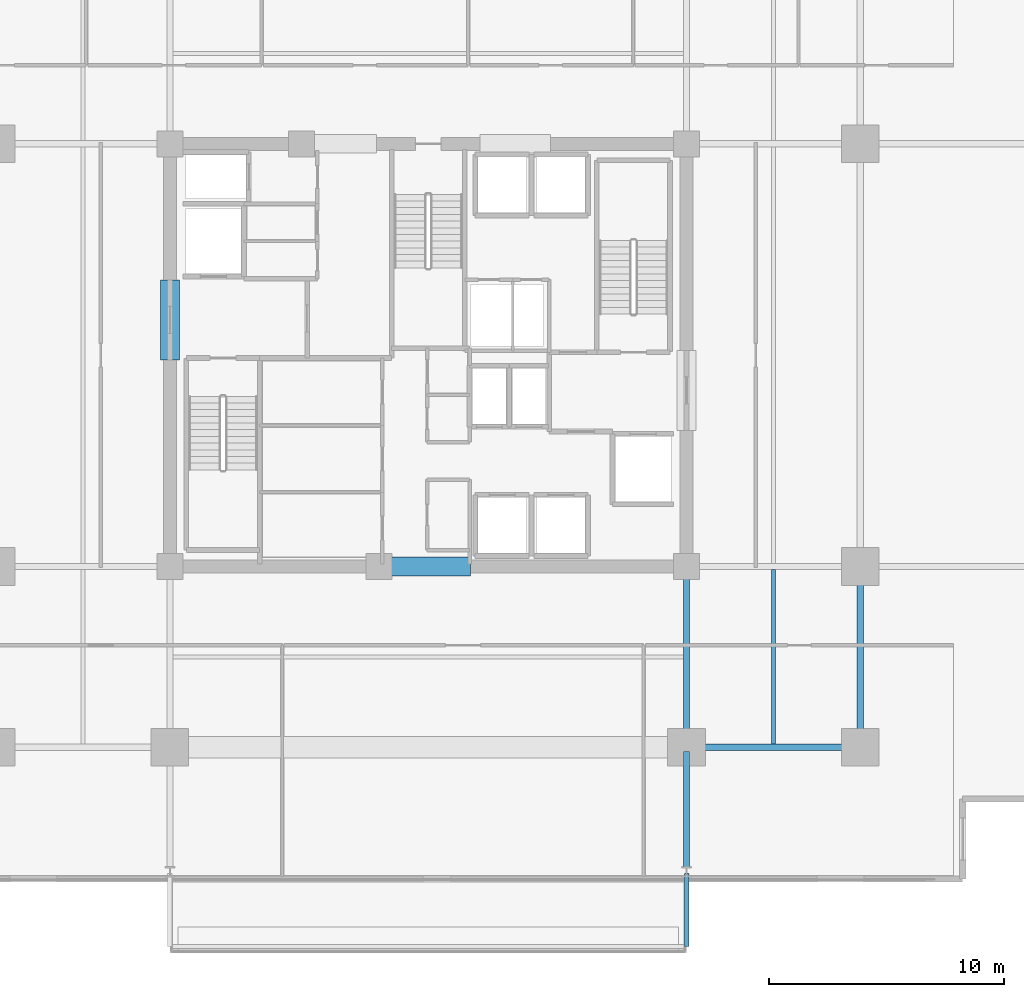
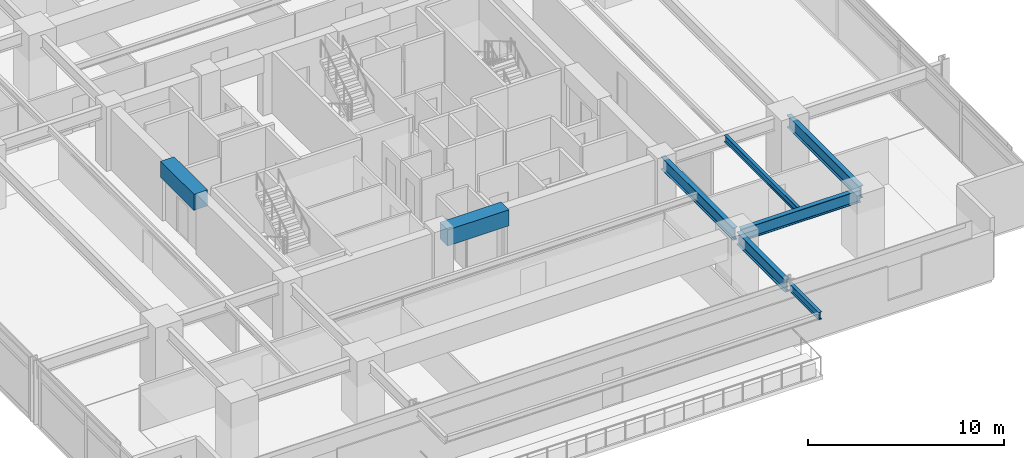
# One storey, part 7 of 23: 8 beams.
"""IFC4 building model written with IfcOpenShell, lengths in metres."""

from ifc_helpers import new_model, si_unit, direction, frame, origin, origin_2d, place, context, subcontext, project, spatial, rectangle, i_section, extrude, material, material_profile, profile_set, type_object, element, save


model = new_model("IFC4")

# Units and contexts
model_context = context("Model", 3, precision=1e-05, world=origin(), true_north=direction((0.0, 1.0)))
body_context = subcontext(model_context, "Body", "Model", "MODEL_VIEW")
ifc_project = project(units=[si_unit("LENGTHUNIT", "METRE"), si_unit("AREAUNIT", "SQUARE_METRE"), si_unit("VOLUMEUNIT", "CUBIC_METRE"), si_unit("PLANEANGLEUNIT", "RADIAN"), si_unit("MASSUNIT", "GRAM", prefix="KILO")], contexts=[model_context])

# Site, building, storey
site_placement = place(None, origin())
site = spatial("IfcSite", under=ifc_project, at=site_placement, CompositionType="ELEMENT")
building_placement = place(site_placement, origin())
building = spatial("IfcBuilding", under=site, at=building_placement, Name="Kovane Verandah Tower", CompositionType="ELEMENT")
storey_placement = place(building_placement, frame((0.0, 0.0, 148.39990234375)))
storey = spatial("IfcBuildingStorey", under=building, at=storey_placement, Name="L34", CompositionType="ELEMENT", Elevation=148.39990234375)

# Beams
ifc_material_1 = material(Name="Concrete C60/75", Category="concrete")
ifc_material_profile_1 = material_profile(ifc_material_1, rectangle(XDim=0.800048828125, YDim=1.0, at=origin_2d()), Name="RCB800x1000")
ifc_profile_set_1 = profile_set([ifc_material_profile_1], Name="Concrete C60/75")
beam_type_1 = type_object("IfcBeamType", Name="BM-LINTEL-800x1000", PredefinedType="LINTEL", material=ifc_profile_set_1)
beam_1_placement = place(storey_placement, frame((38.199951171875, 18.5, 3.275146484375), z_axis=(1.0, 0.0, 0.0), x_axis=(0.0, 1.0, 0.0)))
element("IfcBeam", 1, at=beam_1_placement, inside=storey, type_object=beam_type_1, Name="L34 Core Coupling Lintel CL-S", PredefinedType="LINTEL", context=body_context, shape_type="SweptSolid", body=[
    extrude(rectangle(XDim=0.800048828125, YDim=1.0, at=origin_2d()), origin(), (0.0, 0.0, 1.0), 3.60009765625),
])
beam_2_placement = place(storey_placement, frame((29.0, 27.300048828125, 3.275146484375), z_axis=(0.0, 1.0, 0.0), x_axis=(-1.0, 0.0, 0.0)))
element("IfcBeam", 2, at=beam_2_placement, inside=storey, type_object=beam_type_1, Name="L34 Core Coupling Lintel CL-W", PredefinedType="LINTEL", context=body_context, shape_type="SweptSolid", body=[
    extrude(rectangle(XDim=0.800048828125, YDim=1.0, at=origin_2d()), origin(), (0.0, 0.0, 1.0), 3.39990234375),
])
ifc_material_2 = material(Name="Steel S355", Category="steel")
ifc_material_profile_2 = material_profile(ifc_material_2, i_section(OverallWidth=0.26806640625, OverallDepth=0.769775390625, WebThickness=0.015625, FlangeThickness=0.025390625, FilletRadius=0.0166015625, at=origin_2d()), Name="UB762x267x197")
ifc_profile_set_2 = profile_set([ifc_material_profile_2], Name="Steel S355")
beam_type_2 = type_object("IfcBeamType", Name="BM-UB762x197", PredefinedType="BEAM", material=ifc_profile_set_2)
beam_3_placement = place(storey_placement, frame((51.179931640625, 10.800048828125, 3.39013671875), z_axis=(1.0, 0.0, 0.0), x_axis=(0.0, 1.0, 0.0)))
element("IfcBeam", 3, at=beam_3_placement, inside=storey, type_object=beam_type_2, Name="L34 Primary Tower Girder G-RS3", PredefinedType="BEAM", context=body_context, shape_type="SweptSolid", body=[
    extrude(i_section(OverallWidth=0.26806640625, OverallDepth=0.769775390625, WebThickness=0.015625, FlangeThickness=0.025390625, FilletRadius=0.0166015625, at=origin_2d()), origin(), (0.0, 0.0, 1.0), 7.0400390625),
])
for number, where, z_axis, x_axis, name in (
    (4, (58.39990234375, 10.97998046875, 3.39013671875), (0.0, 1.0, 0.0), (-1.0, 0.0, 0.0), "L34 Primary Tower Girder G-RE1"),
    (5, (51.0, 18.320068359375, 3.39013671875), (0.0, -1.0, 0.0), (1.0, 0.0, 0.0), "L34 Primary Tower Girder G-S2"),
):
    element("IfcBeam", number, at=place(storey_placement, frame(where, z_axis=z_axis, x_axis=x_axis)), inside=storey, type_object=beam_type_2, Name=name, PredefinedType="BEAM", context=body_context, shape_type="SweptSolid", body=[
        extrude(i_section(OverallWidth=0.26806640625, OverallDepth=0.769775390625, WebThickness=0.015625, FlangeThickness=0.025390625, FilletRadius=0.0166015625, at=origin_2d()), origin(), (0.0, 0.0, 1.0), 7.340087890625),
    ])
beam_4_placement = place(storey_placement, frame((51.0, 10.6201171875, 3.375244140625), z_axis=(0.0, -1.0, 0.0), x_axis=(1.0, 0.0, 0.0)))
element("IfcBeam", 6, at=beam_4_placement, inside=storey, type_object=beam_type_2, Name="L34 Primary Tower Girder G-VS2", PredefinedType="BEAM", context=body_context, shape_type="SweptSolid", body=[
    extrude(i_section(OverallWidth=0.26806640625, OverallDepth=0.769775390625, WebThickness=0.015625, FlangeThickness=0.025390625, FilletRadius=0.0166015625, at=origin_2d()), origin(), (0.0, 0.0, 1.0), 4.940185546875),
])
ifc_material_profile_3 = material_profile(ifc_material_2, i_section(OverallWidth=0.179443359375, OverallDepth=0.412841796875, WebThickness=0.009521484375, FlangeThickness=0.01611328125, FilletRadius=0.01025390625, at=origin_2d()), Name="UB406x178x74")
ifc_profile_set_3 = profile_set([ifc_material_profile_3], Name="Steel S355")
beam_type_3 = type_object("IfcBeamType", Name="JST-UB406x74", PredefinedType="JOIST", material=ifc_profile_set_3)
beam_5_placement = place(storey_placement, frame((54.699951171875, 10.931884765625, 3.568603515625), z_axis=(0.0, 1.0, 0.0), x_axis=(-1.0, 0.0, 0.0)))
element("IfcBeam", 7, at=beam_5_placement, inside=storey, type_object=beam_type_3, Name="L34 Secondary Composite Joist J-SE1", PredefinedType="JOIST", context=body_context, shape_type="SweptSolid", body=[
    extrude(i_section(OverallWidth=0.179443359375, OverallDepth=0.412841796875, WebThickness=0.009521484375, FlangeThickness=0.01611328125, FilletRadius=0.01025390625, at=origin_2d()), origin(), (0.0, 0.0, 1.0), 7.43603515625),
])
ifc_material_profile_4 = material_profile(ifc_material_2, i_section(OverallWidth=0.19287109375, OverallDepth=0.46728515625, WebThickness=0.011474609375, FlangeThickness=0.01953125, FilletRadius=0.01025390625, at=origin_2d()), Name="UB457x191x98")
ifc_profile_set_4 = profile_set([ifc_material_profile_4], Name="Steel S355")
beam_type_4 = type_object("IfcBeamType", Name="JST-UB457x98", PredefinedType="JOIST", material=ifc_profile_set_4)
beam_6_placement = place(storey_placement, frame((51.0, 5.419921875, 3.526611328125), z_axis=(0.0, -1.0, 0.0), x_axis=(1.0, 0.0, 0.0)))
element("IfcBeam", 8, at=beam_6_placement, inside=storey, type_object=beam_type_4, Name="L34 South Planter Girder 2", PredefinedType="JOIST", context=body_context, shape_type="SweptSolid", body=[
    extrude(i_section(OverallWidth=0.19287109375, OverallDepth=0.46728515625, WebThickness=0.011474609375, FlangeThickness=0.01953125, FilletRadius=0.01025390625, at=origin_2d()), origin(), (0.0, 0.0, 1.0), 3.09716796875),
])

save(model, "model.ifc")
